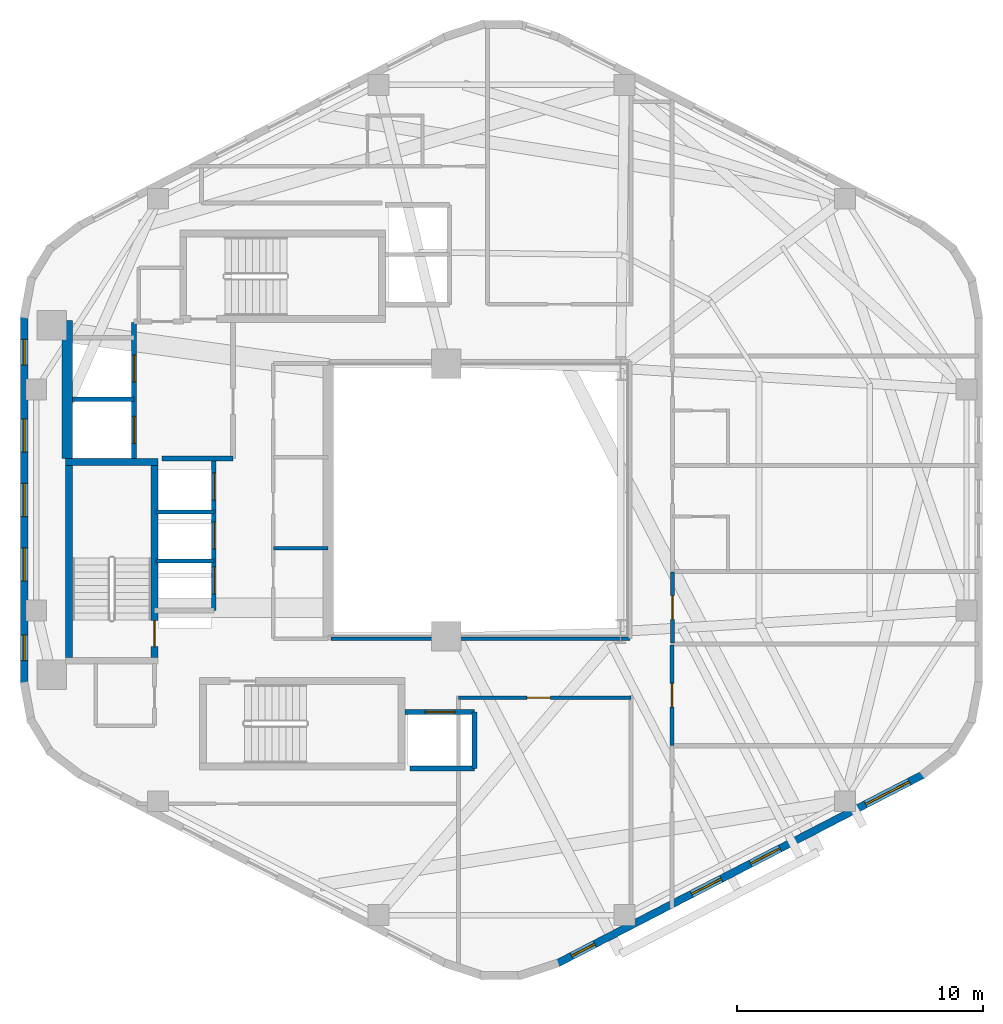
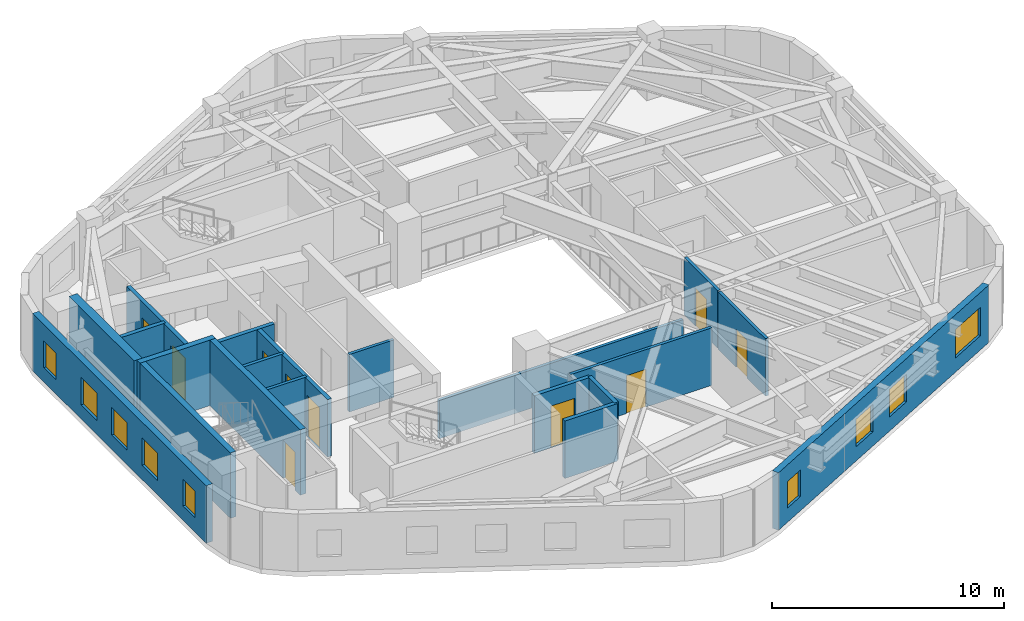
# One storey, part 3 of 7: 20 walls, 10 doors, 9 windows, 19 openings.
"""IFC4 building model written with IfcOpenShell, lengths in metres."""

import ifcopenshell
import ifcopenshell.guid

model = None  # the IFC model being written
_history = None  # IfcOwnerHistory: only IFC2X3 demands one
_inside = {}  # id of a spatial element -> (the spatial element, [elements in it])
_under = {}  # id of a project, library or spatial element -> (it, [spatial elements below it])
_declared = {}  # id of a project -> (the project, [libraries it declares])
_typed = {}  # id of a type object -> (the type object, [elements of that type])
_made_of = {}  # id of a material, layer set ... -> (it, [elements and type objects made of it])


def new_model(schema):
    """Start an empty IFC model of exactly this schema.

    Asked for "IFC4X3", IfcOpenShell would pick the latest addendum, in which some entities
    have other attributes; the version numbers below select the first issue.
    IFC2X3 requires an IfcOwnerHistory on every rooted entity: one is made here for all.
    """
    global model, _history
    if schema == "IFC4X3":
        model = ifcopenshell.file(schema_version=(4, 3, 0, 0))
    else:
        model = ifcopenshell.file(schema=schema)
    _inside.clear()
    _under.clear()
    _declared.clear()
    _typed.clear()
    _made_of.clear()
    _history = None
    if model.schema == "IFC2X3":
        org = make("IfcOrganization", Name="unknown")
        user = make(
            "IfcPersonAndOrganization",
            ThePerson=make("IfcPerson", FamilyName="unknown"),
            TheOrganization=org,
        )
        app = make(
            "IfcApplication",
            ApplicationDeveloper=org,
            Version="unknown",
            ApplicationFullName="unknown",
            ApplicationIdentifier="unknown",
        )
        _history = make(
            "IfcOwnerHistory",
            OwningUser=user,
            OwningApplication=app,
            ChangeAction="ADDED",
            CreationDate=0,
        )
    return model


def make(cls, **values):
    """One entity of the class cls with the attributes given. An attribute that is None is left unset."""
    return model.create_entity(
        cls, **{name: value for name, value in values.items() if value is not None}
    )


def rooted(cls, **values):
    """An entity with a GlobalId (a new one), such as an element, a storey or a relation."""
    return make(cls, GlobalId=ifcopenshell.guid.new(), OwnerHistory=_history, **values)


def si_unit(unit_type, name, prefix=None):
    """IfcSIUnit, for example si_unit("LENGTHUNIT", "METRE", prefix="MILLI")."""
    return make("IfcSIUnit", UnitType=unit_type, Prefix=prefix, Name=name)


def assignment(units):
    """IfcUnitAssignment: the units of a project."""
    return None if units is None else make("IfcUnitAssignment", Units=units)


def point(xyz):
    """IfcCartesianPoint."""
    return None if xyz is None else make("IfcCartesianPoint", Coordinates=xyz)


def direction(xyz):
    """IfcDirection."""
    return None if xyz is None else make("IfcDirection", DirectionRatios=xyz)


def frame(location, z_axis=None, x_axis=None):
    """IfcAxis2Placement3D, a coordinate frame: its origin and axes. An axis left out is left unset."""
    return make(
        "IfcAxis2Placement3D",
        Location=point(location),
        Axis=direction(z_axis),
        RefDirection=direction(x_axis),
    )


def frame_2d(location, x_axis=None):
    """IfcAxis2Placement2D, a coordinate frame in the plane: its origin and x axis."""
    return make(
        "IfcAxis2Placement2D", Location=point(location), RefDirection=direction(x_axis)
    )


def origin():
    """The frame at (0, 0, 0) with its axes left unset."""
    return frame((0.0, 0.0, 0.0))


def place(relative_to, where):
    """IfcLocalPlacement: puts the frame where relative to a parent placement (None: the world)."""
    return make(
        "IfcLocalPlacement", PlacementRelTo=relative_to, RelativePlacement=where
    )


def context(
    kind, dimensions, precision=None, world=None, true_north=None, identifier=None
):
    """IfcGeometricRepresentationContext, for example the 3D "Model" context."""
    return make(
        "IfcGeometricRepresentationContext",
        ContextIdentifier=identifier,
        ContextType=kind,
        CoordinateSpaceDimension=dimensions,
        Precision=precision,
        WorldCoordinateSystem=world,
        TrueNorth=true_north,
    )


def subcontext(parent, identifier, kind, view, scale=None):
    """IfcGeometricRepresentationSubContext, for example "Body" below "Model"."""
    return make(
        "IfcGeometricRepresentationSubContext",
        ContextIdentifier=identifier,
        ContextType=kind,
        ParentContext=parent,
        TargetScale=scale,
        TargetView=view,
    )


def project(units=None, contexts=None):
    """IfcProject with its units and contexts."""
    return rooted(
        "IfcProject",
        Name="project",
        RepresentationContexts=contexts,
        UnitsInContext=assignment(units),
    )


def spatial(cls, under=None, at=None, **own):
    """A site, building, storey or space (cls), placed at a placement, below another one or the project."""
    s = rooted(cls, ObjectPlacement=at, **own)
    if under is not None:
        _under.setdefault(under.id(), (under, []))[1].append(s)
    return s


def profile(cls, at=None, kind="AREA", **sizes):
    """A parametric profile (cls). Its sizes go by their IFC names, for example OverallWidth=200.0."""
    return make(cls, ProfileType=kind, Position=at, **sizes)


def rectangle(**sizes):
    """IfcRectangleProfileDef."""
    return profile("IfcRectangleProfileDef", **sizes)


def extrude(swept, where, along, depth):
    """IfcExtrudedAreaSolid: the profile swept, set in the frame where, extruded along a direction by depth."""
    return make(
        "IfcExtrudedAreaSolid",
        SweptArea=swept,
        Position=where,
        ExtrudedDirection=direction(along),
        Depth=depth,
    )


def shape(context_of_items, identifier, shape_type, items):
    """IfcShapeRepresentation: the items that make up one representation, for example the "Body"."""
    return make(
        "IfcShapeRepresentation",
        ContextOfItems=context_of_items,
        RepresentationIdentifier=identifier,
        RepresentationType=shape_type,
        Items=items,
    )


def material(Name=None, Category=None):
    """IfcMaterial."""
    return make("IfcMaterial", Name=Name, Category=Category)


def layer(
    of_material, thickness, ventilated=None, Name=None, Category=None, Priority=None
):
    """IfcMaterialLayer: one layer of a wall or slab, of a material (None: an air gap)."""
    return make(
        "IfcMaterialLayer",
        Material=of_material,
        LayerThickness=thickness,
        IsVentilated=ventilated,
        Name=Name,
        Category=Category,
        Priority=Priority,
    )


def layer_set(layers, Name=None):
    """IfcMaterialLayerSet."""
    return make("IfcMaterialLayerSet", MaterialLayers=layers, LayerSetName=Name)


def made_of(thing, what):
    """Note that an element or type object is made of a material, layer set ...; save() writes the relation."""
    if what is not None:
        _made_of.setdefault(what.id(), (what, []))[1].append(thing)
    return thing


def type_object(cls, material=None, **own):
    """A type object (cls), such as IfcWallType, which elements share."""
    return made_of(rooted(cls, **own), material)


def element(
    cls,
    number,
    at=None,
    inside=None,
    cuts=None,
    type_object=None,
    material=None,
    context=None,
    identifier="Body",
    shape_type=None,
    held_by="IfcProductDefinitionShape",
    body=None,
    shapes=None,
    **own,
):
    """One element of the class cls, such as IfcWall. Its Tag is "e" and its number.

    at: its placement. inside: the storey or other place that contains it. cuts: it is an
    opening in that element (IfcRelVoidsElement). A single representation is given by context,
    identifier, shape_type and body (its items); several are given by shapes. held_by: the class
    of the entity that holds the representations. save() writes the other relations.
    """
    e = rooted(cls, Tag="e%d" % number, ObjectPlacement=at, **own)
    if body is not None:
        shapes = [shape(context, identifier, shape_type, body)]
    if shapes is not None:
        e.Representation = make(held_by, Representations=shapes)
    if inside is not None:
        _inside.setdefault(inside.id(), (inside, []))[1].append(e)
    if cuts is not None:
        rooted(
            "IfcRelVoidsElement", RelatingBuildingElement=cuts, RelatedOpeningElement=e
        )
    if type_object is not None:
        _typed.setdefault(type_object.id(), (type_object, []))[1].append(e)
    return made_of(e, material)


def fill(opening, filler):
    """IfcRelFillsElement: the door or window that sits in an opening."""
    return rooted(
        "IfcRelFillsElement",
        RelatingOpeningElement=opening,
        RelatedBuildingElement=filler,
    )


def aggregate(whole, parts):
    """IfcRelAggregates: a whole, such as a stair, and the parts it consists of."""
    return rooted("IfcRelAggregates", RelatingObject=whole, RelatedObjects=parts)


def save(model, path):
    """Write the relations noted so far, then the file.

    IfcRelAggregates (storeys below a building ...), IfcRelContainedInSpatialStructure (elements
    in a storey), IfcRelDefinesByType, IfcRelAssociatesMaterial and IfcRelDeclares: one each for
    every whole, place, type object, material and project.
    """
    for whole, parts in _under.values():
        aggregate(whole, parts)
    for where, things in _inside.values():
        rooted(
            "IfcRelContainedInSpatialStructure",
            RelatedElements=things,
            RelatingStructure=where,
        )
    for kind, things in _typed.values():
        rooted("IfcRelDefinesByType", RelatedObjects=things, RelatingType=kind)
    for what, things in _made_of.values():
        rooted("IfcRelAssociatesMaterial", RelatedObjects=things, RelatingMaterial=what)
    for by, libraries in _declared.values():
        rooted("IfcRelDeclares", RelatingContext=by, RelatedDefinitions=libraries)
    model.write(path)


model = new_model("IFC4")

# Units and contexts
model_context = context("Model", 3, precision=1e-05, world=origin(), true_north=direction((0.0, 1.0)))
body_context = subcontext(model_context, "Body", "Model", "MODEL_VIEW")
ifc_project = project(units=[si_unit("LENGTHUNIT", "METRE"), si_unit("AREAUNIT", "SQUARE_METRE"), si_unit("VOLUMEUNIT", "CUBIC_METRE"), si_unit("PLANEANGLEUNIT", "RADIAN"), si_unit("MASSUNIT", "GRAM", prefix="KILO"), si_unit("THERMODYNAMICTEMPERATUREUNIT", "KELVIN"), si_unit("POWERUNIT", "WATT")], contexts=[model_context])

# Site, building, storey
site_placement = place(None, origin())
site = spatial("IfcSite", under=ifc_project, at=site_placement, CompositionType="ELEMENT")
building_placement = place(site_placement, origin())
building = spatial("IfcBuilding", under=site, at=building_placement, Name="Skarre Station Tower", CompositionType="ELEMENT")
storey_placement = place(building_placement, frame((0.0, 0.0, 217.14990234375)))
storey = spatial("IfcBuildingStorey", under=building, at=storey_placement, Name="L59", CompositionType="ELEMENT", Elevation=217.14990234375)

# Walls
ifc_material_1 = material(Name="Acoustic Steel-Stud Gypsum Partition", Category="steel")
ifc_layer_1 = layer(ifc_material_1, 0.14990234375, Name="Acoustic Steel-Stud Gypsum Partition")
ifc_layer_set_1 = layer_set([ifc_layer_1], Name="Acoustic Steel-Stud Gypsum Partition")
wall_type_1 = type_object("IfcWallType", Name="Fire-Rated Corridor Acoustic Partition 150", PredefinedType="PARTITIONING", material=ifc_layer_set_1)
wall_1_placement = place(storey_placement, frame((25.320068359375, 22.0400390625, 0.0), z_axis=(0.0, 0.0, 1.0), x_axis=(1.0, 0.0, 0.0)))
element("IfcWall", 1, at=wall_1_placement, inside=storey, type_object=wall_type_1, Name="L59 Interior Partition WL-PT-L59-RC2-M1", PredefinedType="PARTITIONING", context=body_context, shape_type="SweptSolid", body=[
    extrude(rectangle(XDim=2.22998046875, YDim=0.14990234375, at=frame_2d((1.114990234375, 0.0))), origin(), (0.0, 0.0, 1.0), 3.030029296875),
])
wall_2_placement = place(storey_placement, frame((27.675048828125, 18.360107421875, 0.0), z_axis=(0.0, 0.0, 1.0), x_axis=(1.0, 0.0, 0.0)))
element("IfcWall", 2, at=wall_2_placement, inside=storey, type_object=wall_type_1, Name="L59 Interior Partition WL-PT-L59-ATRW-S", PredefinedType="PARTITIONING", context=body_context, shape_type="SweptSolid", body=[
    extrude(rectangle(XDim=12.1650390625, YDim=0.14990234375, at=frame_2d((6.08251953125, 0.0))), origin(), (0.0, 0.0, 1.0), 2.022216796875),
])

# Wall, opening, door
wall_3_placement = place(storey_placement, frame((41.56005859375, 18.179931640625, 0.0), z_axis=(0.0, 0.0, 1.0), x_axis=(0.0, 1.0, 0.0)))
wall_3 = element("IfcWall", 3, at=wall_3_placement, inside=storey, type_object=wall_type_1, Name="L59 Interior Partition WL-PT-L59-EW1-CW", PredefinedType="PARTITIONING", context=body_context, shape_type="SweptSolid", body=[
    extrude(rectangle(XDim=2.89208984375, YDim=0.14990234375, at=frame_2d((1.446044921875, 0.0))), origin(), (0.0, 0.0, 1.0), 3.030029296875),
])
opening_1_placement = place(wall_3_placement, frame((0.966064453125, 0.0, 0.0)))
opening_1 = element("IfcOpeningElement", 4, at=opening_1_placement, cuts=wall_3, Name="Opening DR-FD60", PredefinedType="OPENING", context=body_context, shape_type="SweptSolid", body=[
    extrude(rectangle(XDim=0.9599609375, YDim=2.0, at=frame_2d((0.47998046875, 1.0))), frame((0.0, 0.0849609375, 0.0), z_axis=(0.0, -1.0, 0.0), x_axis=(1.0, 0.0, 0.0)), (0.0, 0.0, 1.0), 0.169921875),
])
ifc_material_2 = material(Name="Nordic White-Oak Veneer Solid-Core Fire Leaf", Category="wood")
door_type_1 = type_object("IfcDoorType", Name="Corridor Suite Entry Fire Door FD60 960x2150", OperationType="SINGLE_SWING_LEFT", PredefinedType="DOOR", material=ifc_material_2)
door_1_placement = place(opening_1_placement, origin())
door_1 = element("IfcDoor", 5, at=door_1_placement, inside=storey, type_object=door_type_1, Name="L59 EW1 Entry Door", OperationType="SINGLE_SWING_LEFT", OverallHeight=2.0, OverallWidth=0.9599609375, PredefinedType="DOOR", context=body_context, shape_type="SweptSolid", body=[
    extrude(rectangle(XDim=0.9599609375, YDim=2.0, at=frame_2d((0.47998046875, 1.0))), frame((0.0, 0.02490234375, 0.0), z_axis=(0.0, -1.0, 0.0), x_axis=(1.0, 0.0, 0.0)), (0.0, 0.0, 1.0), 0.050048828125),
])
fill(opening_1, door_1)

wall_4_placement = place(storey_placement, frame((32.85009765625, 15.9599609375, 0.0), z_axis=(0.0, 0.0, 1.0), x_axis=(1.0, 0.0, 0.0)))
wall_4 = element("IfcWall", 6, at=wall_4_placement, inside=storey, type_object=wall_type_1, Name="L59 Interior Partition WL-PT-L59-SWC1-CW", PredefinedType="PARTITIONING", context=body_context, shape_type="SweptSolid", body=[
    extrude(rectangle(XDim=7.02978515625, YDim=0.14990234375, at=frame_2d((3.514892578125, 0.0))), origin(), (0.0, 0.0, 1.0), 3.030029296875),
])
opening_2_placement = place(wall_4_placement, frame((2.784912109375, 0.0, 0.0)))
opening_2 = element("IfcOpeningElement", 7, at=opening_2_placement, cuts=wall_4, Name="Opening DR-FD60", PredefinedType="OPENING", context=body_context, shape_type="SweptSolid", body=[
    extrude(rectangle(XDim=0.9599609375, YDim=2.0, at=frame_2d((0.47998046875, 1.0))), frame((0.0, 0.0849609375, 0.0), z_axis=(0.0, -1.0, 0.0), x_axis=(1.0, 0.0, 0.0)), (0.0, 0.0, 1.0), 0.169921875),
])
door_2_placement = place(opening_2_placement, origin())
door_2 = element("IfcDoor", 8, at=door_2_placement, inside=storey, type_object=door_type_1, Name="L59 SWC1 Entry Door", OperationType="SINGLE_SWING_LEFT", OverallHeight=2.0, OverallWidth=0.9599609375, PredefinedType="DOOR", context=body_context, shape_type="SweptSolid", body=[
    extrude(rectangle(XDim=0.9599609375, YDim=2.0, at=frame_2d((0.47998046875, 1.0))), frame((0.0, 0.02490234375, 0.0), z_axis=(0.0, -1.0, 0.0), x_axis=(1.0, 0.0, 0.0)), (0.0, 0.0, 1.0), 0.050048828125),
])
fill(opening_2, door_2)

wall_5_placement = place(storey_placement, frame((41.5400390625, 14.01904296875, 0.0), z_axis=(0.0, 0.0, 1.0), x_axis=(0.0, 1.0, 0.0)))
wall_5 = element("IfcWall", 9, at=wall_5_placement, inside=storey, type_object=wall_type_1, Name="L59 Interior Partition WL-PT-L59-SW2-CW", PredefinedType="PARTITIONING", context=body_context, shape_type="SweptSolid", body=[
    extrude(rectangle(XDim=4.0810546875, YDim=0.14990234375, at=frame_2d((2.04052734375, 0.0))), origin(), (0.0, 0.0, 1.0), 3.030029296875),
])
opening_3_placement = place(wall_5_placement, frame((1.56103515625, 0.0, 0.0)))
opening_3 = element("IfcOpeningElement", 10, at=opening_3_placement, cuts=wall_5, Name="Opening DR-FD60", PredefinedType="OPENING", context=body_context, shape_type="SweptSolid", body=[
    extrude(rectangle(XDim=0.9599609375, YDim=2.0, at=frame_2d((0.47998046875, 1.0))), frame((0.0, 0.0849609375, 0.0), z_axis=(0.0, -1.0, 0.0), x_axis=(1.0, 0.0, 0.0)), (0.0, 0.0, 1.0), 0.169921875),
])
door_3_placement = place(opening_3_placement, origin())
door_3 = element("IfcDoor", 11, at=door_3_placement, inside=storey, type_object=door_type_1, Name="L59 SW2 Entry Door", OperationType="SINGLE_SWING_LEFT", OverallHeight=2.0, OverallWidth=0.9599609375, PredefinedType="DOOR", context=body_context, shape_type="SweptSolid", body=[
    extrude(rectangle(XDim=0.9599609375, YDim=2.0, at=frame_2d((0.47998046875, 1.0))), frame((0.0, 0.02490234375, 0.0), z_axis=(0.0, -1.0, 0.0), x_axis=(1.0, 0.0, 0.0)), (0.0, 0.0, 1.0), 0.050048828125),
])
fill(opening_3, door_3)

# Wall, openings, windows
ifc_material_3 = material(Name="Precast concrete C45/55", Category="concrete")
ifc_layer_2 = layer(ifc_material_3, 0.31005859375, Name="Precast concrete C45/55")
ifc_layer_set_2 = layer_set([ifc_layer_2], Name="Precast concrete C45/55")
wall_type_2 = type_object("IfcWallType", Name="Nordic Upper-Zone Precast Facet Wall 310", PredefinedType="STANDARD", material=ifc_layer_set_2)
wall_6_placement = place(storey_placement, frame((15.18310546875, 16.498046875, 0.0), z_axis=(0.0, 0.0, 1.0), x_axis=(0.0, 1.0, 0.0)))
wall_6 = element("IfcWall", 12, at=wall_6_placement, inside=storey, type_object=wall_type_2, Name="L59 Facet 2 Nordic Precast Masonry Wall", PredefinedType="STANDARD", context=body_context, shape_type="SweptSolid", body=[
    extrude(rectangle(XDim=15.00390625, YDim=0.31005859375, at=frame_2d((7.501953125, 0.0))), origin(), (0.0, 0.0, 1.0), 3.030029296875),
])
opening_4_placement = place(wall_6_placement, frame((0.968017578125, 0.0, 0.75)))
opening_4 = element("IfcOpeningElement", 13, at=opening_4_placement, cuts=wall_6, Name="Opening WN-SLT", PredefinedType="OPENING", context=body_context, shape_type="SweptSolid", body=[
    extrude(rectangle(XDim=1.050048828125, YDim=1.39990234375, at=frame_2d((0.52490234375, 0.699951171875))), frame((0.0, 0.1650390625, 0.0), z_axis=(0.0, -1.0, 0.0), x_axis=(1.0, 0.0, 0.0)), (0.0, 0.0, 1.0), 0.330078125),
])
opening_5_placement = place(wall_6_placement, frame((4.202880859375, 0.0, 0.75)))
opening_5 = element("IfcOpeningElement", 14, at=opening_5_placement, cuts=wall_6, Name="Opening WN-Z3B", PredefinedType="OPENING", context=body_context, shape_type="SweptSolid", body=[
    extrude(rectangle(XDim=1.35009765625, YDim=1.449951171875, at=frame_2d((0.675048828125, 0.72509765625))), frame((0.0, 0.1650390625, 0.0), z_axis=(0.0, -1.0, 0.0), x_axis=(1.0, 0.0, 0.0)), (0.0, 0.0, 1.0), 0.330078125),
])
opening_6_placement = place(wall_6_placement, frame((6.826904296875, 0.0, 0.75)))
opening_6 = element("IfcOpeningElement", 15, at=opening_6_placement, cuts=wall_6, Name="Opening WN-Z3B", PredefinedType="OPENING", context=body_context, shape_type="SweptSolid", body=[
    extrude(rectangle(XDim=1.35009765625, YDim=1.449951171875, at=frame_2d((0.675048828125, 0.72509765625))), frame((0.0, 0.1650390625, 0.0), z_axis=(0.0, -1.0, 0.0), x_axis=(1.0, 0.0, 0.0)), (0.0, 0.0, 1.0), 0.330078125),
])
opening_7_placement = place(wall_6_placement, frame((9.450927734375, 0.0, 0.75)))
opening_7 = element("IfcOpeningElement", 16, at=opening_7_placement, cuts=wall_6, Name="Opening WN-Z3B", PredefinedType="OPENING", context=body_context, shape_type="SweptSolid", body=[
    extrude(rectangle(XDim=1.35009765625, YDim=1.449951171875, at=frame_2d((0.675048828125, 0.72509765625))), frame((0.0, 0.1650390625, 0.0), z_axis=(0.0, -1.0, 0.0), x_axis=(1.0, 0.0, 0.0)), (0.0, 0.0, 1.0), 0.330078125),
])
opening_8_placement = place(wall_6_placement, frame((12.986083984375, 0.0, 0.75)))
opening_8 = element("IfcOpeningElement", 17, at=opening_8_placement, cuts=wall_6, Name="Opening WN-SLT", PredefinedType="OPENING", context=body_context, shape_type="SweptSolid", body=[
    extrude(rectangle(XDim=1.050048828125, YDim=1.39990234375, at=frame_2d((0.52490234375, 0.699951171875))), frame((0.0, 0.1650390625, 0.0), z_axis=(0.0, -1.0, 0.0), x_axis=(1.0, 0.0, 0.0)), (0.0, 0.0, 1.0), 0.330078125),
])
ifc_material_4 = material(Name="Low-Iron Triple Glazing with Bronze Anodized Frame", Category="glass")
window_type_1 = type_object("IfcWindowType", Name="Nordic Corner Slot Window 1050x1400", PartitioningType="SINGLE_PANEL", PredefinedType="WINDOW", material=ifc_material_4)
window_1_placement = place(opening_4_placement, origin())
window_1 = element("IfcWindow", 18, at=window_1_placement, inside=storey, type_object=window_type_1, Name="L59 Facade Window WL-FAC-L59-F2-1", OverallHeight=1.39990234375, OverallWidth=1.050048828125, PartitioningType="SINGLE_PANEL", PredefinedType="WINDOW", context=body_context, shape_type="SweptSolid", body=[
    extrude(rectangle(XDim=1.050048828125, YDim=1.39990234375, at=frame_2d((0.52490234375, 0.699951171875))), frame((0.0, 0.030029296875, 0.0), z_axis=(0.0, -1.0, 0.0), x_axis=(1.0, 0.0, 0.0)), (0.0, 0.0, 1.0), 0.06005859375),
])
fill(opening_4, window_1)
window_2_placement = place(opening_8_placement, origin())
window_2 = element("IfcWindow", 19, at=window_2_placement, inside=storey, type_object=window_type_1, Name="L59 Facade Window WL-FAC-L59-F2-5", OverallHeight=1.39990234375, OverallWidth=1.050048828125, PartitioningType="SINGLE_PANEL", PredefinedType="WINDOW", context=body_context, shape_type="SweptSolid", body=[
    extrude(rectangle(XDim=1.050048828125, YDim=1.39990234375, at=frame_2d((0.52490234375, 0.699951171875))), frame((0.0, 0.030029296875, 0.0), z_axis=(0.0, -1.0, 0.0), x_axis=(1.0, 0.0, 0.0)), (0.0, 0.0, 1.0), 0.06005859375),
])
fill(opening_8, window_2)
window_type_2 = type_object("IfcWindowType", Name="Nordic Hospitality Narrow Window 1350x1450", PartitioningType="SINGLE_PANEL", PredefinedType="WINDOW", material=ifc_material_4)
window_3_placement = place(opening_5_placement, origin())
window_3 = element("IfcWindow", 20, at=window_3_placement, inside=storey, type_object=window_type_2, Name="L59 Facade Window WL-FAC-L59-F2-2", OverallHeight=1.449951171875, OverallWidth=1.35009765625, PartitioningType="SINGLE_PANEL", PredefinedType="WINDOW", context=body_context, shape_type="SweptSolid", body=[
    extrude(rectangle(XDim=1.35009765625, YDim=1.449951171875, at=frame_2d((0.675048828125, 0.72509765625))), frame((0.0, 0.030029296875, 0.0), z_axis=(0.0, -1.0, 0.0), x_axis=(1.0, 0.0, 0.0)), (0.0, 0.0, 1.0), 0.06005859375),
])
fill(opening_5, window_3)
window_4_placement = place(opening_6_placement, origin())
window_4 = element("IfcWindow", 21, at=window_4_placement, inside=storey, type_object=window_type_2, Name="L59 Facade Window WL-FAC-L59-F2-3", OverallHeight=1.449951171875, OverallWidth=1.35009765625, PartitioningType="SINGLE_PANEL", PredefinedType="WINDOW", context=body_context, shape_type="SweptSolid", body=[
    extrude(rectangle(XDim=1.35009765625, YDim=1.449951171875, at=frame_2d((0.675048828125, 0.72509765625))), frame((0.0, 0.030029296875, 0.0), z_axis=(0.0, -1.0, 0.0), x_axis=(1.0, 0.0, 0.0)), (0.0, 0.0, 1.0), 0.06005859375),
])
fill(opening_6, window_4)
window_5_placement = place(opening_7_placement, origin())
window_5 = element("IfcWindow", 22, at=window_5_placement, inside=storey, type_object=window_type_2, Name="L59 Facade Window WL-FAC-L59-F2-4", OverallHeight=1.449951171875, OverallWidth=1.35009765625, PartitioningType="SINGLE_PANEL", PredefinedType="WINDOW", context=body_context, shape_type="SweptSolid", body=[
    extrude(rectangle(XDim=1.35009765625, YDim=1.449951171875, at=frame_2d((0.675048828125, 0.72509765625))), frame((0.0, 0.030029296875, 0.0), z_axis=(0.0, -1.0, 0.0), x_axis=(1.0, 0.0, 0.0)), (0.0, 0.0, 1.0), 0.06005859375),
])
fill(opening_7, window_5)

wall_7_placement = place(storey_placement, frame((51.7919921875, 12.846923828125, 0.0), z_axis=(0.0, 0.0, 1.0), x_axis=(-0.888626188278, -0.458632202867, 0.0)))
wall_7 = element("IfcWall", 23, at=wall_7_placement, inside=storey, type_object=wall_type_2, Name="L59 Facet 4 Nordic Precast Masonry Wall", PredefinedType="STANDARD", context=body_context, shape_type="SweptSolid", body=[
    extrude(rectangle(XDim=16.828369140625, YDim=0.31005859375, at=frame_2d((8.4140625, 0.0))), origin(), (0.0, 0.0, 1.0), 3.030029296875),
])
opening_9_placement = place(wall_7_placement, frame((0.675048828125, 0.0, 0.75)))
opening_9 = element("IfcOpeningElement", 24, at=opening_9_placement, cuts=wall_7, Name="Opening WN-Z3A", PredefinedType="OPENING", context=body_context, shape_type="SweptSolid", body=[
    extrude(rectangle(XDim=2.0, YDim=1.5, at=frame_2d((1.0, 0.75))), frame((0.0, 0.1650390625, 0.0), z_axis=(0.0, -1.0, 0.0), x_axis=(1.0, 0.0, 0.0)), (0.0, 0.0, 1.0), 0.330078125),
])
opening_10_placement = place(wall_7_placement, frame((6.591064453125, 0.0, 0.75)))
opening_10 = element("IfcOpeningElement", 25, at=opening_10_placement, cuts=wall_7, Name="Opening WN-Z3B", PredefinedType="OPENING", context=body_context, shape_type="SweptSolid", body=[
    extrude(rectangle(XDim=1.35009765625, YDim=1.449951171875, at=frame_2d((0.675048828125, 0.72509765625))), frame((0.0, 0.1650390625, 0.0), z_axis=(0.0, -1.0, 0.0), x_axis=(1.0, 0.0, 0.0)), (0.0, 0.0, 1.0), 0.330078125),
])
opening_11_placement = place(wall_7_placement, frame((9.287109375, 0.0, 0.75)))
opening_11 = element("IfcOpeningElement", 26, at=opening_11_placement, cuts=wall_7, Name="Opening WN-Z3B", PredefinedType="OPENING", context=body_context, shape_type="SweptSolid", body=[
    extrude(rectangle(XDim=1.35009765625, YDim=1.449951171875, at=frame_2d((0.675048828125, 0.72509765625))), frame((0.0, 0.1650390625, 0.0), z_axis=(0.0, -1.0, 0.0), x_axis=(1.0, 0.0, 0.0)), (0.0, 0.0, 1.0), 0.330078125),
])
opening_12_placement = place(wall_7_placement, frame((15.072021484375, 0.0, 0.75)))
opening_12 = element("IfcOpeningElement", 27, at=opening_12_placement, cuts=wall_7, Name="Opening WN-SLT", PredefinedType="OPENING", context=body_context, shape_type="SweptSolid", body=[
    extrude(rectangle(XDim=1.050048828125, YDim=1.39990234375, at=frame_2d((0.52490234375, 0.699951171875))), frame((0.0, 0.1650390625, 0.0), z_axis=(0.0, -1.0, 0.0), x_axis=(1.0, 0.0, 0.0)), (0.0, 0.0, 1.0), 0.330078125),
])
window_6_placement = place(opening_12_placement, origin())
window_6 = element("IfcWindow", 28, at=window_6_placement, inside=storey, type_object=window_type_1, Name="L59 Facade Window WL-FAC-L59-F4-4", OverallHeight=1.39990234375, OverallWidth=1.050048828125, PartitioningType="SINGLE_PANEL", PredefinedType="WINDOW", context=body_context, shape_type="SweptSolid", body=[
    extrude(rectangle(XDim=1.050048828125, YDim=1.39990234375, at=frame_2d((0.52490234375, 0.699951171875))), frame((0.0, 0.030029296875, 0.0), z_axis=(0.0, -1.0, 0.0), x_axis=(1.0, 0.0, 0.0)), (0.0, 0.0, 1.0), 0.06005859375),
])
fill(opening_12, window_6)
window_7_placement = place(opening_10_placement, origin())
window_7 = element("IfcWindow", 29, at=window_7_placement, inside=storey, type_object=window_type_2, Name="L59 Facade Window WL-FAC-L59-F4-2", OverallHeight=1.449951171875, OverallWidth=1.35009765625, PartitioningType="SINGLE_PANEL", PredefinedType="WINDOW", context=body_context, shape_type="SweptSolid", body=[
    extrude(rectangle(XDim=1.35009765625, YDim=1.449951171875, at=frame_2d((0.675048828125, 0.72509765625))), frame((0.0, 0.030029296875, 0.0), z_axis=(0.0, -1.0, 0.0), x_axis=(1.0, 0.0, 0.0)), (0.0, 0.0, 1.0), 0.06005859375),
])
fill(opening_10, window_7)
window_8_placement = place(opening_11_placement, origin())
window_8 = element("IfcWindow", 30, at=window_8_placement, inside=storey, type_object=window_type_2, Name="L59 Facade Window WL-FAC-L59-F4-3", OverallHeight=1.449951171875, OverallWidth=1.35009765625, PartitioningType="SINGLE_PANEL", PredefinedType="WINDOW", context=body_context, shape_type="SweptSolid", body=[
    extrude(rectangle(XDim=1.35009765625, YDim=1.449951171875, at=frame_2d((0.675048828125, 0.72509765625))), frame((0.0, 0.030029296875, 0.0), z_axis=(0.0, -1.0, 0.0), x_axis=(1.0, 0.0, 0.0)), (0.0, 0.0, 1.0), 0.06005859375),
])
fill(opening_11, window_8)
window_type_3 = type_object("IfcWindowType", Name="Nordic Hospitality Window 2000x1500", PartitioningType="SINGLE_PANEL", PredefinedType="WINDOW", material=ifc_material_4)
window_9_placement = place(opening_9_placement, origin())
window_9 = element("IfcWindow", 31, at=window_9_placement, inside=storey, type_object=window_type_3, Name="L59 Facade Window WL-FAC-L59-F4-1", OverallHeight=1.5, OverallWidth=2.0, PartitioningType="SINGLE_PANEL", PredefinedType="WINDOW", context=body_context, shape_type="SweptSolid", body=[
    extrude(rectangle(XDim=2.0, YDim=1.5, at=frame_2d((1.0, 0.75))), frame((0.0, 0.030029296875, 0.0), z_axis=(0.0, -1.0, 0.0), x_axis=(1.0, 0.0, 0.0)), (0.0, 0.0, 1.0), 0.06005859375),
])
fill(opening_9, window_9)

# Walls
ifc_material_5 = material(Name="Concrete C50/60", Category="concrete")
ifc_layer_3 = layer(ifc_material_5, 0.280029296875, Name="Concrete C50/60")
ifc_layer_set_3 = layer_set([ifc_layer_3], Name="Concrete C50/60")
wall_type_3 = type_object("IfcWallType", Name="RC Core Shear Wall 280", PredefinedType="SHEAR", material=ifc_layer_set_3)
wall_8_placement = place(storey_placement, frame((20.6298828125, 25.5400390625, 0.0), z_axis=(0.0, 0.0, 1.0), x_axis=(-1.0, 0.0, 0.0)))
element("IfcWall", 32, at=wall_8_placement, inside=storey, type_object=wall_type_3, Name="L59 Stair ST-1 North Shear Wall", PredefinedType="SHEAR", context=body_context, shape_type="SweptSolid", body=[
    extrude(rectangle(XDim=3.759765625, YDim=0.280029296875, at=frame_2d((1.8798828125, 0.0))), origin(), (0.0, 0.0, 1.0), 3.4501953125),
])
wall_9_placement = place(storey_placement, frame((17.010009765625, 25.39990234375, 0.0), z_axis=(0.0, 0.0, 1.0), x_axis=(0.0, -1.0, 0.0)))
element("IfcWall", 33, at=wall_9_placement, inside=storey, type_object=wall_type_3, Name="L59 Stair ST-1 West Shear Wall", PredefinedType="SHEAR", context=body_context, shape_type="SweptSolid", body=[
    extrude(rectangle(XDim=7.7998046875, YDim=0.280029296875, at=frame_2d((3.89990234375, 0.0))), origin(), (0.0, 0.0, 1.0), 3.4501953125),
])

# Wall, opening, door
wall_10_placement = place(storey_placement, frame((20.489990234375, 17.60009765625, 0.0), z_axis=(0.0, 0.0, 1.0), x_axis=(0.0, 1.0, 0.0)))
wall_10 = element("IfcWall", 34, at=wall_10_placement, inside=storey, type_object=wall_type_3, Name="L59 Stair ST-1 East Shear Wall", PredefinedType="SHEAR", context=body_context, shape_type="SweptSolid", body=[
    extrude(rectangle(XDim=7.7998046875, YDim=0.280029296875, at=frame_2d((3.89990234375, 0.0))), origin(), (0.0, 0.0, 1.0), 3.4501953125),
])
opening_13_placement = place(wall_10_placement, frame((0.43994140625, 0.0, 0.0)))
opening_13 = element("IfcOpeningElement", 35, at=opening_13_placement, cuts=wall_10, Name="Opening DR-FD90", PredefinedType="OPENING", context=body_context, shape_type="SweptSolid", body=[
    extrude(rectangle(XDim=1.050048828125, YDim=2.0, at=frame_2d((0.52490234375, 1.0))), frame((0.0, 0.14990234375, 0.0), z_axis=(0.0, -1.0, 0.0), x_axis=(1.0, 0.0, 0.0)), (0.0, 0.0, 1.0), 0.300048828125),
])
ifc_material_6 = material(Name="Fire-Rated Insulated Steel Frame & Timber Core Leaf", Category="steel")
door_type_2 = type_object("IfcDoorType", Name="Stair & FSAE Lobby Fire Door FD90 1050x2150", OperationType="SINGLE_SWING_RIGHT", PredefinedType="DOOR", material=ifc_material_6)
door_4_placement = place(opening_13_placement, origin())
door_4 = element("IfcDoor", 36, at=door_4_placement, inside=storey, type_object=door_type_2, Name="L59 Stair ST-1 Exit Door", OperationType="SINGLE_SWING_RIGHT", OverallHeight=2.0, OverallWidth=1.050048828125, PredefinedType="DOOR", context=body_context, shape_type="SweptSolid", body=[
    extrude(rectangle(XDim=1.050048828125, YDim=2.0, at=frame_2d((0.52490234375, 1.0))), frame((0.0, 0.02490234375, 0.0), z_axis=(0.0, -1.0, 0.0), x_axis=(1.0, 0.0, 0.0)), (0.0, 0.0, 1.0), 0.050048828125),
])
fill(opening_13, door_4)

# Wall
ifc_material_7 = material(Name="Concrete C60/75", Category="concrete")
ifc_layer_4 = layer(ifc_material_7, 0.419921875, Name="Concrete C60/75")
ifc_layer_set_4 = layer_set([ifc_layer_4], Name="Concrete C60/75")
wall_type_4 = type_object("IfcWallType", Name="RC Core Shear Wall 420", PredefinedType="SHEAR", material=ifc_layer_set_4)
wall_11_placement = place(storey_placement, frame((16.93994140625, 25.679931640625, 0.0), z_axis=(0.0, 0.0, 1.0), x_axis=(0.0, 1.0, 0.0)))
element("IfcWall", 37, at=wall_11_placement, inside=storey, type_object=wall_type_4, Name="L59 Core West-North Shear Wall", PredefinedType="SHEAR", context=body_context, shape_type="SweptSolid", body=[
    extrude(rectangle(XDim=5.6201171875, YDim=0.419921875, at=frame_2d((2.81005859375, 0.0))), origin(), (0.0, 0.0, 1.0), 3.4501953125),
])

# Wall, openings, doors
ifc_material_8 = material(Name="Gypsum Concrete Shaft Assembly C30/37", Category="concrete")
ifc_layer_5 = layer(ifc_material_8, 0.199951171875, Name="Gypsum Concrete Shaft Assembly C30/37")
ifc_layer_set_5 = layer_set([ifc_layer_5], Name="Gypsum Concrete Shaft Assembly C30/37")
wall_type_5 = type_object("IfcWallType", Name="Shaft & Core Fire Partition 200", PredefinedType="PARTITIONING", material=ifc_layer_set_5)
wall_12_placement = place(storey_placement, frame((19.64990234375, 25.679931640625, 0.0), z_axis=(0.0, 0.0, 1.0), x_axis=(0.0, 1.0, 0.0)))
wall_12 = element("IfcWall", 38, at=wall_12_placement, inside=storey, type_object=wall_type_5, Name="L59 Interior Partition WL-PT-L59-FSAE-W", PredefinedType="PARTITIONING", context=body_context, shape_type="SweptSolid", body=[
    extrude(rectangle(XDim=5.5400390625, YDim=0.199951171875, at=frame_2d((2.77001953125, 0.0))), origin(), (0.0, 0.0, 1.0), 3.030029296875),
])
opening_14_placement = place(wall_12_placement, frame((0.6201171875, 0.0, 0.0)))
opening_14 = element("IfcOpeningElement", 39, at=opening_14_placement, cuts=wall_12, Name="Opening LD-FF1", PredefinedType="OPENING", context=body_context, shape_type="SweptSolid", body=[
    extrude(rectangle(XDim=1.10009765625, YDim=2.199951171875, at=frame_2d((0.550048828125, 1.10009765625))), frame((0.0, 0.10986328125, 0.0), z_axis=(0.0, -1.0, 0.0), x_axis=(1.0, 0.0, 0.0)), (0.0, 0.0, 1.0), 0.219970703125),
])
opening_15_placement = place(wall_12_placement, frame((3.1201171875, 0.0, 0.0)))
opening_15 = element("IfcOpeningElement", 40, at=opening_15_placement, cuts=wall_12, Name="Opening LD-FF2", PredefinedType="OPENING", context=body_context, shape_type="SweptSolid", body=[
    extrude(rectangle(XDim=1.10009765625, YDim=2.199951171875, at=frame_2d((0.550048828125, 1.10009765625))), frame((0.0, 0.10986328125, 0.0), z_axis=(0.0, -1.0, 0.0), x_axis=(1.0, 0.0, 0.0)), (0.0, 0.0, 1.0), 0.219970703125),
])
ifc_material_9 = material(Name="Fire-Rated Stainless Steel Grade 316L Sliding Leaves", Category="steel")
door_type_3 = type_object("IfcDoorType", Name="Fire Service Access Elevator Sliding Landing Door 1100x2200", OperationType="SLIDING_TO_LEFT", PredefinedType="DOOR", material=ifc_material_9)
door_5_placement = place(opening_14_placement, origin())
door_5 = element("IfcDoor", 41, at=door_5_placement, inside=storey, type_object=door_type_3, Name="L59 Firefighting Lift LF-FF1 Landing Door", OperationType="SLIDING_TO_LEFT", OverallHeight=2.199951171875, OverallWidth=1.10009765625, PredefinedType="DOOR", context=body_context, shape_type="SweptSolid", body=[
    extrude(rectangle(XDim=1.10009765625, YDim=2.199951171875, at=frame_2d((0.550048828125, 1.10009765625))), frame((0.0, 0.02490234375, 0.0), z_axis=(0.0, -1.0, 0.0), x_axis=(1.0, 0.0, 0.0)), (0.0, 0.0, 1.0), 0.050048828125),
])
fill(opening_14, door_5)
door_6_placement = place(opening_15_placement, origin())
door_6 = element("IfcDoor", 42, at=door_6_placement, inside=storey, type_object=door_type_3, Name="L59 Firefighting Lift LF-FF2 Landing Door", OperationType="SLIDING_TO_LEFT", OverallHeight=2.199951171875, OverallWidth=1.10009765625, PredefinedType="DOOR", context=body_context, shape_type="SweptSolid", body=[
    extrude(rectangle(XDim=1.10009765625, YDim=2.199951171875, at=frame_2d((0.550048828125, 1.10009765625))), frame((0.0, 0.02490234375, 0.0), z_axis=(0.0, -1.0, 0.0), x_axis=(1.0, 0.0, 0.0)), (0.0, 0.0, 1.0), 0.050048828125),
])
fill(opening_15, door_6)

# Walls
wall_13_placement = place(storey_placement, frame((20.79296875, 25.679931640625, 0.0), z_axis=(0.0, 0.0, 1.0), x_axis=(1.0, 0.0, 0.0)))
element("IfcWall", 43, at=wall_13_placement, inside=storey, type_object=wall_type_5, Name="L59 Interior Partition WL-PT-L59-FSAE-S", PredefinedType="PARTITIONING", context=body_context, shape_type="SweptSolid", body=[
    extrude(rectangle(XDim=2.886962890625, YDim=0.199951171875, at=frame_2d((1.443359375, 0.0))), origin(), (0.0, 0.0, 1.0), 3.030029296875),
])
wall_14_placement = place(storey_placement, frame((17.14990234375, 28.10009765625, 0.0), z_axis=(0.0, 0.0, 1.0), x_axis=(1.0, 0.0, 0.0)))
element("IfcWall", 44, at=wall_14_placement, inside=storey, type_object=wall_type_5, Name="L59 Interior Partition WL-PT-L59-FF-DIV", PredefinedType="PARTITIONING", context=body_context, shape_type="SweptSolid", body=[
    extrude(rectangle(XDim=2.5, YDim=0.199951171875, at=frame_2d((1.25, 0.0))), origin(), (0.0, 0.0, 1.0), 3.030029296875),
])

# Wall, opening, door
wall_15_placement = place(storey_placement, frame((33.5, 15.3798828125, 0.0), z_axis=(0.0, 0.0, 1.0), x_axis=(-1.0, 0.0, 0.0)))
wall_15 = element("IfcWall", 45, at=wall_15_placement, inside=storey, type_object=wall_type_5, Name="L59 Interior Partition WL-PT-L59-SV1-N", PredefinedType="PARTITIONING", context=body_context, shape_type="SweptSolid", body=[
    extrude(rectangle(XDim=2.820068359375, YDim=0.199951171875, at=frame_2d((1.41015625, 0.0))), origin(), (0.0, 0.0, 1.0), 3.030029296875),
])
opening_16_placement = place(wall_15_placement, frame((0.800048828125, 0.0, 0.0)))
opening_16 = element("IfcOpeningElement", 46, at=opening_16_placement, cuts=wall_15, Name="Opening LD-SV1", PredefinedType="OPENING", context=body_context, shape_type="SweptSolid", body=[
    extrude(rectangle(XDim=1.199951171875, YDim=2.199951171875, at=frame_2d((0.60009765625, 1.10009765625))), frame((0.0, 0.10986328125, 0.0), z_axis=(0.0, -1.0, 0.0), x_axis=(1.0, 0.0, 0.0)), (0.0, 0.0, 1.0), 0.219970703125),
])
ifc_material_10 = material(Name="Heavy-Gauge Brushed Stainless Steel Sliding Leaves", Category="steel")
door_type_4 = type_object("IfcDoorType", Name="Service Elevator Wide Sliding Landing Door 1200x2200", OperationType="SLIDING_TO_RIGHT", PredefinedType="DOOR", material=ifc_material_10)
door_7_placement = place(opening_16_placement, origin())
door_7 = element("IfcDoor", 47, at=door_7_placement, inside=storey, type_object=door_type_4, Name="L59 Service Lift LF-SV1 Landing Door", OperationType="SLIDING_TO_RIGHT", OverallHeight=2.199951171875, OverallWidth=1.199951171875, PredefinedType="DOOR", context=body_context, shape_type="SweptSolid", body=[
    extrude(rectangle(XDim=1.199951171875, YDim=2.199951171875, at=frame_2d((0.60009765625, 1.10009765625))), frame((0.0, 0.02490234375, 0.0), z_axis=(0.0, -1.0, 0.0), x_axis=(1.0, 0.0, 0.0)), (0.0, 0.0, 1.0), 0.050048828125),
])
fill(opening_16, door_7)

# Walls
wall_16_placement = place(storey_placement, frame((33.5, 13.080078125, 0.0), z_axis=(0.0, 0.0, 1.0), x_axis=(0.0, 1.0, 0.0)))
element("IfcWall", 48, at=wall_16_placement, inside=storey, type_object=wall_type_5, Name="L59 Interior Partition WL-PT-L59-SV1-E", PredefinedType="PARTITIONING", context=body_context, shape_type="SweptSolid", body=[
    extrude(rectangle(XDim=2.2998046875, YDim=0.199951171875, at=frame_2d((1.14990234375, 0.0))), origin(), (0.0, 0.0, 1.0), 3.030029296875),
])
wall_17_placement = place(storey_placement, frame((30.87890625, 13.080078125, 0.0), z_axis=(0.0, 0.0, 1.0), x_axis=(1.0, 0.0, 0.0)))
element("IfcWall", 49, at=wall_17_placement, inside=storey, type_object=wall_type_5, Name="L59 Interior Partition WL-PT-L59-SV1-S", PredefinedType="PARTITIONING", context=body_context, shape_type="SweptSolid", body=[
    extrude(rectangle(XDim=2.62109375, YDim=0.199951171875, at=frame_2d((1.310546875, 0.0))), origin(), (0.0, 0.0, 1.0), 3.030029296875),
])

# Wall, openings, doors
wall_18_placement = place(storey_placement, frame((22.89990234375, 19.5, 0.0), z_axis=(0.0, 0.0, 1.0), x_axis=(0.0, 1.0, 0.0)))
wall_18 = element("IfcWall", 50, at=wall_18_placement, inside=storey, type_object=wall_type_5, Name="L59 Interior Partition WL-PT-L59-B3-E", PredefinedType="PARTITIONING", context=body_context, shape_type="SweptSolid", body=[
    extrude(rectangle(XDim=6.0849609375, YDim=0.199951171875, at=frame_2d((3.04248046875, 0.0))), origin(), (0.0, 0.0, 1.0), 3.030029296875),
])
opening_17_placement = place(wall_18_placement, frame((0.679931640625, 0.0, 0.0)))
opening_17 = element("IfcOpeningElement", 51, at=opening_17_placement, cuts=wall_18, Name="Opening LD-P7", PredefinedType="OPENING", context=body_context, shape_type="SweptSolid", body=[
    extrude(rectangle(XDim=1.10009765625, YDim=2.199951171875, at=frame_2d((0.550048828125, 1.10009765625))), frame((0.0, 0.10986328125, 0.0), z_axis=(0.0, -1.0, 0.0), x_axis=(1.0, 0.0, 0.0)), (0.0, 0.0, 1.0), 0.219970703125),
])
opening_18_placement = place(wall_18_placement, frame((2.5, 0.0, 0.0)))
opening_18 = element("IfcOpeningElement", 52, at=opening_18_placement, cuts=wall_18, Name="Opening LD-P8", PredefinedType="OPENING", context=body_context, shape_type="SweptSolid", body=[
    extrude(rectangle(XDim=1.10009765625, YDim=2.199951171875, at=frame_2d((0.550048828125, 1.10009765625))), frame((0.0, 0.10986328125, 0.0), z_axis=(0.0, -1.0, 0.0), x_axis=(1.0, 0.0, 0.0)), (0.0, 0.0, 1.0), 0.219970703125),
])
opening_19_placement = place(wall_18_placement, frame((4.5, 0.0, 0.0)))
opening_19 = element("IfcOpeningElement", 53, at=opening_19_placement, cuts=wall_18, Name="Opening LD-P9", PredefinedType="OPENING", context=body_context, shape_type="SweptSolid", body=[
    extrude(rectangle(XDim=1.10009765625, YDim=2.199951171875, at=frame_2d((0.550048828125, 1.10009765625))), frame((0.0, 0.10986328125, 0.0), z_axis=(0.0, -1.0, 0.0), x_axis=(1.0, 0.0, 0.0)), (0.0, 0.0, 1.0), 0.219970703125),
])
ifc_material_11 = material(Name="Brushed Bronze Stainless Steel Sliding Leaves", Category="steel")
door_type_5 = type_object("IfcDoorType", Name="Passenger Elevator Center-Parting Sliding Door 1100x2200", OperationType="SLIDING_TO_LEFT", PredefinedType="DOOR", material=ifc_material_11)
door_8_placement = place(opening_17_placement, origin())
door_8 = element("IfcDoor", 54, at=door_8_placement, inside=storey, type_object=door_type_5, Name="L59 Passenger Lift LF-P7 Landing Door", OperationType="SLIDING_TO_LEFT", OverallHeight=2.199951171875, OverallWidth=1.10009765625, PredefinedType="DOOR", context=body_context, shape_type="SweptSolid", body=[
    extrude(rectangle(XDim=1.10009765625, YDim=2.199951171875, at=frame_2d((0.550048828125, 1.10009765625))), frame((0.0, 0.02490234375, 0.0), z_axis=(0.0, -1.0, 0.0), x_axis=(1.0, 0.0, 0.0)), (0.0, 0.0, 1.0), 0.050048828125),
])
fill(opening_17, door_8)
door_9_placement = place(opening_18_placement, origin())
door_9 = element("IfcDoor", 55, at=door_9_placement, inside=storey, type_object=door_type_5, Name="L59 Passenger Lift LF-P8 Landing Door", OperationType="SLIDING_TO_LEFT", OverallHeight=2.199951171875, OverallWidth=1.10009765625, PredefinedType="DOOR", context=body_context, shape_type="SweptSolid", body=[
    extrude(rectangle(XDim=1.10009765625, YDim=2.199951171875, at=frame_2d((0.550048828125, 1.10009765625))), frame((0.0, 0.02490234375, 0.0), z_axis=(0.0, -1.0, 0.0), x_axis=(1.0, 0.0, 0.0)), (0.0, 0.0, 1.0), 0.050048828125),
])
fill(opening_18, door_9)
door_10_placement = place(opening_19_placement, origin())
door_10 = element("IfcDoor", 56, at=door_10_placement, inside=storey, type_object=door_type_5, Name="L59 Passenger Lift LF-P9 Landing Door", OperationType="SLIDING_TO_LEFT", OverallHeight=2.199951171875, OverallWidth=1.10009765625, PredefinedType="DOOR", context=body_context, shape_type="SweptSolid", body=[
    extrude(rectangle(XDim=1.10009765625, YDim=2.199951171875, at=frame_2d((0.550048828125, 1.10009765625))), frame((0.0, 0.02490234375, 0.0), z_axis=(0.0, -1.0, 0.0), x_axis=(1.0, 0.0, 0.0)), (0.0, 0.0, 1.0), 0.050048828125),
])
fill(opening_19, door_10)

# Walls
for number, where, z_axis, x_axis, name in (
    (57, (20.550048828125, 21.52001953125, 0.0), (0.0, 0.0, 1.0), (1.0, 0.0, 0.0), "L59 Interior Partition WL-PT-L59-B3-D1"),
    (58, (20.550048828125, 23.52001953125, 0.0), (0.0, 0.0, 1.0), (1.0, 0.0, 0.0), "L59 Interior Partition WL-PT-L59-B3-D2"),
):
    element("IfcWall", number, at=place(storey_placement, frame(where, z_axis=z_axis, x_axis=x_axis)), inside=storey, type_object=wall_type_5, Name=name, PredefinedType="PARTITIONING", context=body_context, shape_type="SweptSolid", body=[
        extrude(rectangle(XDim=2.349853515625, YDim=0.159912109375, at=frame_2d((1.1748046875, 0.0))), origin(), (0.0, 0.0, 1.0), 3.030029296875),
    ])

save(model, "model.ifc")
